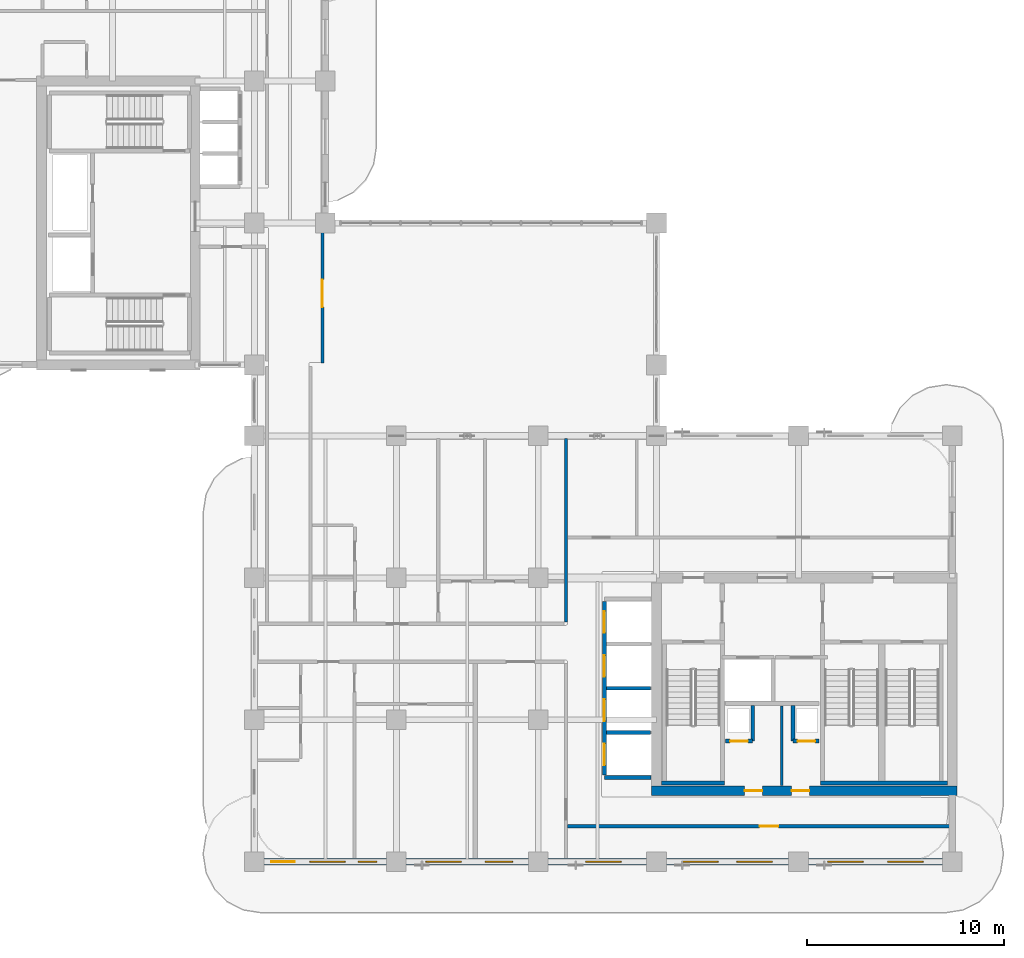
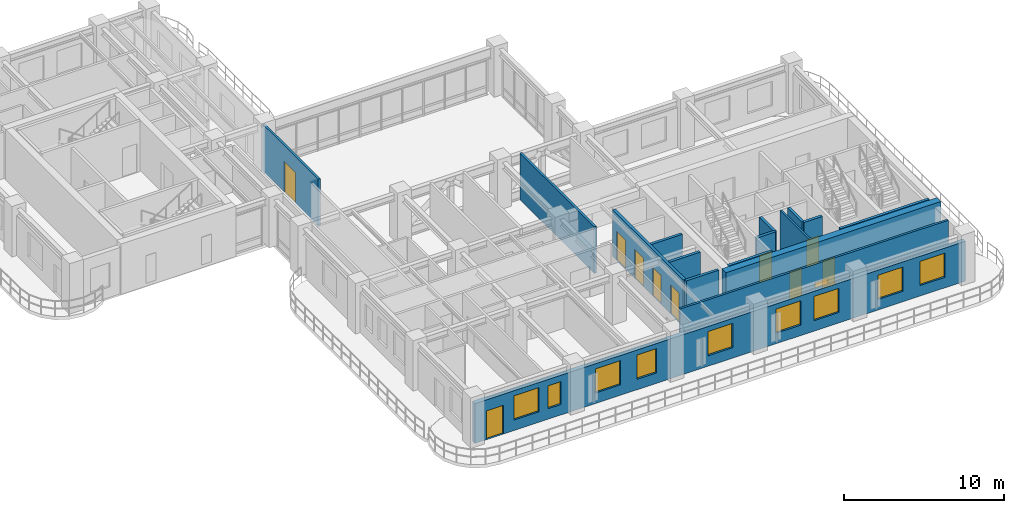
# One storey, part 10 of 17: 16 walls, 11 doors, 9 windows, 20 openings.
"""IFC4 building model written with IfcOpenShell, lengths in metres."""

from ifc_helpers import new_model, si_unit, derived_unit, direction, frame, frame_2d, origin, place, context, subcontext, project, spatial, rectangle, extrude, source, transform, mapped, material, layer, layer_set, type_object, type_shapes, element, fill, save


model = new_model("IFC4")

# Units and contexts
model_context = context("Model", 3, precision=1e-05, world=origin(), true_north=direction((0.0, 1.0)))
body_context = subcontext(model_context, "Body", "Model", "MODEL_VIEW")
ifc_project = project(units=[si_unit("LENGTHUNIT", "METRE"), si_unit("AREAUNIT", "SQUARE_METRE"), si_unit("VOLUMEUNIT", "CUBIC_METRE"), si_unit("PLANEANGLEUNIT", "RADIAN"), si_unit("MASSUNIT", "GRAM", prefix="KILO"), si_unit("THERMODYNAMICTEMPERATUREUNIT", "KELVIN"), si_unit("POWERUNIT", "WATT"), derived_unit("THERMALTRANSMITTANCEUNIT", [(si_unit("POWERUNIT", "WATT"), 1), (si_unit("AREAUNIT", "SQUARE_METRE"), -1), (si_unit("THERMODYNAMICTEMPERATUREUNIT", "KELVIN"), -1)])], contexts=[model_context])

# Site, building, storey
site_placement = place(None, origin())
site = spatial("IfcSite", under=ifc_project, at=site_placement, CompositionType="ELEMENT")
building_placement = place(site_placement, origin())
building = spatial("IfcBuilding", under=site, at=building_placement, Name="Zahravan Archway Hotel and Residences", CompositionType="ELEMENT")
storey_placement = place(building_placement, frame((0.0, 0.0, 192.64990234375)))
storey = spatial("IfcBuildingStorey", under=building, at=storey_placement, Name="L48", CompositionType="ELEMENT", Elevation=192.64990234375)

# Wall, openings, doors
ifc_material_1 = material(Name="Concrete C60/75", Category="concrete")
ifc_layer_1 = layer(ifc_material_1, 0.5, Name="Concrete C60/75", Category="concrete")
ifc_layer_set_1 = layer_set([ifc_layer_1], Name="Concrete C60/75")
wall_type_1 = type_object("IfcWallType", Name="CW-CORE-500", PredefinedType="SHEAR", material=ifc_layer_set_1)
wall_1_placement = place(storey_placement, frame((34.550048828125, 3.60009765625, 0.0), z_axis=(0.0, 0.0, 1.0), x_axis=(1.0, 0.0, 0.0)))
wall_1 = element("IfcWall", 1, at=wall_1_placement, inside=storey, type_object=wall_type_1, Name="L48 Core A Shear S Wall 500 mm", PredefinedType="SHEAR", context=body_context, shape_type="SweptSolid", body=[
    extrude(rectangle(XDim=15.5, YDim=0.5, at=frame_2d((7.75, 0.0))), origin(), (0.0, 0.0, 1.0), 3.85009765625),
])
opening_1_placement = place(wall_1_placement, frame((4.719970703125, 0.0, 0.0)))
opening_1 = element("IfcOpeningElement", 2, at=opening_1_placement, cuts=wall_1, Name="Opening FD-R1", PredefinedType="OPENING", context=body_context, shape_type="SweptSolid", body=[
    extrude(rectangle(XDim=0.89990234375, YDim=2.10009765625, at=frame_2d((0.449951171875, 1.050048828125))), frame((0.0, 0.260009765625, 0.0), z_axis=(0.0, -1.0, 0.0), x_axis=(1.0, 0.0, 0.0)), (0.0, 0.0, 1.0), 0.52001953125),
])
opening_2_placement = place(wall_1_placement, frame((7.10009765625, 0.0, 0.0)))
opening_2 = element("IfcOpeningElement", 3, at=opening_2_placement, cuts=wall_1, Name="Opening FD-R1", PredefinedType="OPENING", context=body_context, shape_type="SweptSolid", body=[
    extrude(rectangle(XDim=0.89990234375, YDim=2.10009765625, at=frame_2d((0.449951171875, 1.050048828125))), frame((0.0, 0.260009765625, 0.0), z_axis=(0.0, -1.0, 0.0), x_axis=(1.0, 0.0, 0.0)), (0.0, 0.0, 1.0), 0.52001953125),
])
ifc_material_2 = material(Name="Fire-Rated Painted Steel", Category="steel")
door_type_1 = type_object("IfcDoorType", Name="FD-RISER-900", OperationType="NOTDEFINED", PredefinedType="DOOR", material=ifc_material_2)
shared_shape_1 = source(origin(), body_context, "Body", "SweptSolid", [
    extrude(rectangle(XDim=0.89990234375, YDim=2.10009765625, at=frame_2d((0.449951171875, 1.050048828125))), frame((0.0, 0.02490234375, 0.0), z_axis=(0.0, -1.0, 0.0), x_axis=(1.0, 0.0, 0.0)), (0.0, 0.0, 1.0), 0.050048828125),
])
type_shapes(door_type_1, [shared_shape_1])
door_1_placement = place(opening_1_placement, origin())
door_1 = element("IfcDoor", 4, at=door_1_placement, inside=storey, type_object=door_type_1, Name="L48 Fan Room Door", OperationType="SINGLE_SWING_LEFT", OverallHeight=2.10009765625, OverallWidth=0.89990234375, PredefinedType="DOOR", context=body_context, shape_type="MappedRepresentation", body=[
    mapped(shared_shape_1, transform((0.0, 0.0, 0.0), scale=1.0)),
])
fill(opening_1, door_1)
door_2_placement = place(opening_2_placement, origin())
door_2 = element("IfcDoor", 5, at=door_2_placement, inside=storey, type_object=door_type_1, Name="L48 Sub-Meter Cupboard Door", OperationType="SINGLE_SWING_RIGHT", OverallHeight=2.10009765625, OverallWidth=0.89990234375, PredefinedType="DOOR", context=body_context, shape_type="MappedRepresentation", body=[
    mapped(shared_shape_1, transform((0.0, 0.0, 0.0), scale=1.0)),
])
fill(opening_2, door_2)

# Wall, openings, door, windows
ifc_material_3 = material(Name="Agra Buff Sandstone & Insulated Backup", Category="masonry")
ifc_layer_2 = layer(ifc_material_3, 0.320068359375, Name="Agra Buff Sandstone & Insulated Backup", Category="masonry")
ifc_layer_set_2 = layer_set([ifc_layer_2], Name="Agra Buff Sandstone & Insulated Backup")
wall_type_2 = type_object("IfcWallType", Name="EW-SAND-320", PredefinedType="SOLIDWALL", material=ifc_layer_set_2)
wall_2_placement = place(storey_placement, frame((14.39990234375, 0.0, 0.0), z_axis=(0.0, 0.0, 1.0), x_axis=(1.0, 0.0, 0.0)))
wall_2 = element("IfcWall", 6, at=wall_2_placement, inside=storey, type_object=wall_type_2, Name="L48 Exterior Sandstone Wall WA-S", PredefinedType="SOLIDWALL", context=body_context, shape_type="SweptSolid", body=[
    extrude(rectangle(XDim=35.400146484375, YDim=0.320068359375, at=frame_2d((17.7001953125, 0.0))), origin(), (0.0, 0.0, 1.0), 3.03515625),
])
opening_3_placement = place(wall_2_placement, frame((0.85009765625, 0.0, 0.0)))
opening_3 = element("IfcOpeningElement", 7, at=opening_3_placement, cuts=wall_2, Name="Opening ED-BL1", PredefinedType="OPENING", context=body_context, shape_type="SweptSolid", body=[
    extrude(rectangle(XDim=1.199951171875, YDim=2.199951171875, at=frame_2d((0.60009765625, 1.10009765625))), frame((0.0, 0.169921875, 0.0), z_axis=(0.0, -1.0, 0.0), x_axis=(1.0, 0.0, 0.0)), (0.0, 0.0, 1.0), 0.340087890625),
])
opening_4_placement = place(wall_2_placement, frame((2.81103515625, 0.0, 0.800048828125)))
opening_4 = element("IfcOpeningElement", 8, at=opening_4_placement, cuts=wall_2, Name="Opening W-02", PredefinedType="OPENING", context=body_context, shape_type="SweptSolid", body=[
    extrude(rectangle(XDim=1.800048828125, YDim=1.85009765625, at=frame_2d((0.89990234375, 0.925048828125))), frame((0.0, 0.169921875, 0.0), z_axis=(0.0, -1.0, 0.0), x_axis=(1.0, 0.0, 0.0)), (0.0, 0.0, 1.0), 0.340087890625),
])
opening_5_placement = place(wall_2_placement, frame((5.26904296875, 0.0, 0.800048828125)))
opening_5 = element("IfcOpeningElement", 9, at=opening_5_placement, cuts=wall_2, Name="Opening W-04", PredefinedType="OPENING", context=body_context, shape_type="SweptSolid", body=[
    extrude(rectangle(XDim=0.949951171875, YDim=1.75, at=frame_2d((0.47509765625, 0.875))), frame((0.0, 0.169921875, 0.0), z_axis=(0.0, -1.0, 0.0), x_axis=(1.0, 0.0, 0.0)), (0.0, 0.0, 1.0), 0.340087890625),
])
opening_6_placement = place(wall_2_placement, frame((8.696044921875, 0.0, 0.800048828125)))
opening_6 = element("IfcOpeningElement", 10, at=opening_6_placement, cuts=wall_2, Name="Opening W-02", PredefinedType="OPENING", context=body_context, shape_type="SweptSolid", body=[
    extrude(rectangle(XDim=1.800048828125, YDim=1.85009765625, at=frame_2d((0.89990234375, 0.925048828125))), frame((0.0, 0.169921875, 0.0), z_axis=(0.0, -1.0, 0.0), x_axis=(1.0, 0.0, 0.0)), (0.0, 0.0, 1.0), 0.340087890625),
])
opening_7_placement = place(wall_2_placement, frame((11.7041015625, 0.0, 0.800048828125)))
opening_7 = element("IfcOpeningElement", 11, at=opening_7_placement, cuts=wall_2, Name="Opening W-03", PredefinedType="OPENING", context=body_context, shape_type="SweptSolid", body=[
    extrude(rectangle(XDim=1.39990234375, YDim=1.85009765625, at=frame_2d((0.699951171875, 0.925048828125))), frame((0.0, 0.169921875, 0.0), z_axis=(0.0, -1.0, 0.0), x_axis=(1.0, 0.0, 0.0)), (0.0, 0.0, 1.0), 0.340087890625),
])
opening_8_placement = place(wall_2_placement, frame((16.803955078125, 0.0, 0.800048828125)))
opening_8 = element("IfcOpeningElement", 12, at=opening_8_placement, cuts=wall_2, Name="Opening W-02", PredefinedType="OPENING", context=body_context, shape_type="SweptSolid", body=[
    extrude(rectangle(XDim=1.800048828125, YDim=1.85009765625, at=frame_2d((0.89990234375, 0.925048828125))), frame((0.0, 0.169921875, 0.0), z_axis=(0.0, -1.0, 0.0), x_axis=(1.0, 0.0, 0.0)), (0.0, 0.0, 1.0), 0.340087890625),
])
opening_9_placement = place(wall_2_placement, frame((21.72509765625, 0.0, 0.800048828125)))
opening_9 = element("IfcOpeningElement", 13, at=opening_9_placement, cuts=wall_2, Name="Opening W-02", PredefinedType="OPENING", context=body_context, shape_type="SweptSolid", body=[
    extrude(rectangle(XDim=1.800048828125, YDim=1.85009765625, at=frame_2d((0.89990234375, 0.925048828125))), frame((0.0, 0.169921875, 0.0), z_axis=(0.0, -1.0, 0.0), x_axis=(1.0, 0.0, 0.0)), (0.0, 0.0, 1.0), 0.340087890625),
])
opening_10_placement = place(wall_2_placement, frame((24.47509765625, 0.0, 0.800048828125)))
opening_10 = element("IfcOpeningElement", 14, at=opening_10_placement, cuts=wall_2, Name="Opening W-02", PredefinedType="OPENING", context=body_context, shape_type="SweptSolid", body=[
    extrude(rectangle(XDim=1.800048828125, YDim=1.85009765625, at=frame_2d((0.89990234375, 0.925048828125))), frame((0.0, 0.169921875, 0.0), z_axis=(0.0, -1.0, 0.0), x_axis=(1.0, 0.0, 0.0)), (0.0, 0.0, 1.0), 0.340087890625),
])
opening_11_placement = place(wall_2_placement, frame((29.074951171875, 0.0, 0.800048828125)))
opening_11 = element("IfcOpeningElement", 15, at=opening_11_placement, cuts=wall_2, Name="Opening W-02", PredefinedType="OPENING", context=body_context, shape_type="SweptSolid", body=[
    extrude(rectangle(XDim=1.800048828125, YDim=1.85009765625, at=frame_2d((0.89990234375, 0.925048828125))), frame((0.0, 0.169921875, 0.0), z_axis=(0.0, -1.0, 0.0), x_axis=(1.0, 0.0, 0.0)), (0.0, 0.0, 1.0), 0.340087890625),
])
opening_12_placement = place(wall_2_placement, frame((32.125, 0.0, 0.800048828125)))
opening_12 = element("IfcOpeningElement", 16, at=opening_12_placement, cuts=wall_2, Name="Opening W-02", PredefinedType="OPENING", context=body_context, shape_type="SweptSolid", body=[
    extrude(rectangle(XDim=1.800048828125, YDim=1.85009765625, at=frame_2d((0.89990234375, 0.925048828125))), frame((0.0, 0.169921875, 0.0), z_axis=(0.0, -1.0, 0.0), x_axis=(1.0, 0.0, 0.0)), (0.0, 0.0, 1.0), 0.340087890625),
])
ifc_material_4 = material(Name="Bronze-Anodized Glazed Aluminium", Category="aluminium")
door_type_2 = type_object("IfcDoorType", Name="ED-BALC-1200", OperationType="SLIDING_TO_LEFT", PredefinedType="DOOR", material=ifc_material_4)
shared_shape_2 = source(origin(), body_context, "Body", "SweptSolid", [
    extrude(rectangle(XDim=1.199951171875, YDim=2.199951171875, at=frame_2d((0.60009765625, 1.10009765625))), frame((0.0, 0.02490234375, 0.0), z_axis=(0.0, -1.0, 0.0), x_axis=(1.0, 0.0, 0.0)), (0.0, 0.0, 1.0), 0.050048828125),
])
type_shapes(door_type_2, [shared_shape_2])
door_3_placement = place(opening_3_placement, origin())
door_3 = element("IfcDoor", 17, at=door_3_placement, inside=storey, type_object=door_type_2, Name="L48 Outdoor Access Sliding Door (SLB-BAL-L48-SA)", OperationType="SLIDING_TO_LEFT", OverallHeight=2.199951171875, OverallWidth=1.199951171875, PredefinedType="DOOR", context=body_context, shape_type="MappedRepresentation", body=[
    mapped(shared_shape_2, transform((0.0, 0.0, 0.0), scale=1.0)),
])
fill(opening_3, door_3)
ifc_material_5 = material(Name="Bronze-Anodized Thermal-Break Aluminium & Low-E Glass", Category="aluminium")
window_type_1 = type_object("IfcWindowType", Name="WIN-TWR-1400", PartitioningType="SINGLE_PANEL", PredefinedType="WINDOW", material=ifc_material_5)
shared_shape_3 = source(origin(), body_context, "Body", "SweptSolid", [
    extrude(rectangle(XDim=1.39990234375, YDim=1.85009765625, at=frame_2d((0.699951171875, 0.925048828125))), frame((0.0, 0.030029296875, 0.0), z_axis=(0.0, -1.0, 0.0), x_axis=(1.0, 0.0, 0.0)), (0.0, 0.0, 1.0), 0.06005859375),
])
type_shapes(window_type_1, [shared_shape_3])
window_1_placement = place(opening_7_placement, origin())
window_1 = element("IfcWindow", 18, at=window_1_placement, inside=storey, type_object=window_type_1, Name="L48 Loggia Window 04", OverallHeight=1.85009765625, OverallWidth=1.39990234375, PartitioningType="SINGLE_PANEL", PredefinedType="WINDOW", context=body_context, shape_type="MappedRepresentation", body=[
    mapped(shared_shape_3, transform((0.0, 0.0, 0.0), scale=1.0)),
])
fill(opening_7, window_1)
window_type_2 = type_object("IfcWindowType", Name="WIN-NAR-950", PartitioningType="SINGLE_PANEL", PredefinedType="WINDOW", material=ifc_material_5)
shared_shape_4 = source(origin(), body_context, "Body", "SweptSolid", [
    extrude(rectangle(XDim=0.949951171875, YDim=1.75, at=frame_2d((0.47509765625, 0.875))), frame((0.0, 0.030029296875, 0.0), z_axis=(0.0, -1.0, 0.0), x_axis=(1.0, 0.0, 0.0)), (0.0, 0.0, 1.0), 0.06005859375),
])
type_shapes(window_type_2, [shared_shape_4])
window_2_placement = place(opening_5_placement, origin())
window_2 = element("IfcWindow", 19, at=window_2_placement, inside=storey, type_object=window_type_2, Name="L48 Loggia Window 02", OverallHeight=1.75, OverallWidth=0.949951171875, PartitioningType="SINGLE_PANEL", PredefinedType="WINDOW", context=body_context, shape_type="MappedRepresentation", body=[
    mapped(shared_shape_4, transform((0.0, 0.0, 0.0), scale=1.0)),
])
fill(opening_5, window_2)
window_type_3 = type_object("IfcWindowType", Name="WIN-TWR-1800", PartitioningType="DOUBLE_PANEL_VERTICAL", PredefinedType="WINDOW", material=ifc_material_5)
shared_shape_5 = source(origin(), body_context, "Body", "SweptSolid", [
    extrude(rectangle(XDim=1.800048828125, YDim=1.85009765625, at=frame_2d((0.89990234375, 0.925048828125))), frame((0.0, 0.030029296875, 0.0), z_axis=(0.0, -1.0, 0.0), x_axis=(1.0, 0.0, 0.0)), (0.0, 0.0, 1.0), 0.06005859375),
])
type_shapes(window_type_3, [shared_shape_5])
window_3_placement = place(opening_4_placement, origin())
window_3 = element("IfcWindow", 20, at=window_3_placement, inside=storey, type_object=window_type_3, Name="L48 Loggia Window 01", OverallHeight=1.85009765625, OverallWidth=1.800048828125, PartitioningType="DOUBLE_PANEL_VERTICAL", PredefinedType="WINDOW", context=body_context, shape_type="MappedRepresentation", body=[
    mapped(shared_shape_5, transform((0.0, 0.0, 0.0), scale=1.0)),
])
fill(opening_4, window_3)
window_4_placement = place(opening_6_placement, origin())
window_4 = element("IfcWindow", 21, at=window_4_placement, inside=storey, type_object=window_type_3, Name="L48 Loggia Window 03", OverallHeight=1.85009765625, OverallWidth=1.800048828125, PartitioningType="DOUBLE_PANEL_VERTICAL", PredefinedType="WINDOW", context=body_context, shape_type="MappedRepresentation", body=[
    mapped(shared_shape_5, transform((0.0, 0.0, 0.0), scale=1.0)),
])
fill(opening_6, window_4)
window_5_placement = place(opening_8_placement, origin())
window_5 = element("IfcWindow", 22, at=window_5_placement, inside=storey, type_object=window_type_3, Name="L48 Loggia Window 05", OverallHeight=1.85009765625, OverallWidth=1.800048828125, PartitioningType="DOUBLE_PANEL_VERTICAL", PredefinedType="WINDOW", context=body_context, shape_type="MappedRepresentation", body=[
    mapped(shared_shape_5, transform((0.0, 0.0, 0.0), scale=1.0)),
])
fill(opening_8, window_5)
window_6_placement = place(opening_9_placement, origin())
window_6 = element("IfcWindow", 23, at=window_6_placement, inside=storey, type_object=window_type_3, Name="L48 Loggia Window 06", OverallHeight=1.85009765625, OverallWidth=1.800048828125, PartitioningType="DOUBLE_PANEL_VERTICAL", PredefinedType="WINDOW", context=body_context, shape_type="MappedRepresentation", body=[
    mapped(shared_shape_5, transform((0.0, 0.0, 0.0), scale=1.0)),
])
fill(opening_9, window_6)
window_7_placement = place(opening_10_placement, origin())
window_7 = element("IfcWindow", 24, at=window_7_placement, inside=storey, type_object=window_type_3, Name="L48 Loggia Window 07", OverallHeight=1.85009765625, OverallWidth=1.800048828125, PartitioningType="DOUBLE_PANEL_VERTICAL", PredefinedType="WINDOW", context=body_context, shape_type="MappedRepresentation", body=[
    mapped(shared_shape_5, transform((0.0, 0.0, 0.0), scale=1.0)),
])
fill(opening_10, window_7)
window_8_placement = place(opening_11_placement, origin())
window_8 = element("IfcWindow", 25, at=window_8_placement, inside=storey, type_object=window_type_3, Name="L48 Loggia Window 08", OverallHeight=1.85009765625, OverallWidth=1.800048828125, PartitioningType="DOUBLE_PANEL_VERTICAL", PredefinedType="WINDOW", context=body_context, shape_type="MappedRepresentation", body=[
    mapped(shared_shape_5, transform((0.0, 0.0, 0.0), scale=1.0)),
])
fill(opening_11, window_8)
window_9_placement = place(opening_12_placement, origin())
window_9 = element("IfcWindow", 26, at=window_9_placement, inside=storey, type_object=window_type_3, Name="L48 Loggia Window 09", OverallHeight=1.85009765625, OverallWidth=1.800048828125, PartitioningType="DOUBLE_PANEL_VERTICAL", PredefinedType="WINDOW", context=body_context, shape_type="MappedRepresentation", body=[
    mapped(shared_shape_5, transform((0.0, 0.0, 0.0), scale=1.0)),
])
fill(opening_12, window_9)

# Wall
ifc_material_6 = material(Name="Fire-Rated Gypsum & Concrete Block", Category="concrete")
ifc_layer_3 = layer(ifc_material_6, 0.159912109375, Name="Fire-Rated Gypsum & Concrete Block", Category="concrete")
ifc_layer_set_3 = layer_set([ifc_layer_3], Name="Fire-Rated Gypsum & Concrete Block")
wall_type_3 = type_object("IfcWallType", Name="PW-CORR-160", PredefinedType="PARTITIONING", material=ifc_layer_set_3)
wall_3_placement = place(storey_placement, frame((30.199951171875, 12.159912109375, 0.0), z_axis=(0.0, 0.0, 1.0), x_axis=(0.0, 1.0, 0.0)))
element("IfcWall", 27, at=wall_3_placement, inside=storey, type_object=wall_type_3, Name="L48 Partition WA-FW", PredefinedType="PARTITIONING", context=body_context, shape_type="SweptSolid", body=[
    extrude(rectangle(XDim=9.300048828125, YDim=0.159912109375, at=frame_2d((4.64990234375, 0.0))), origin(), (0.0, 0.0, 1.0), 3.550048828125),
])

# Wall, opening, door
wall_4_placement = place(storey_placement, frame((30.2900390625, 1.800048828125, 0.0), z_axis=(0.0, 0.0, 1.0), x_axis=(1.0, 0.0, 0.0)))
wall_4 = element("IfcWall", 28, at=wall_4_placement, inside=storey, type_object=wall_type_3, Name="L48 Partition WA-SRS", PredefinedType="PARTITIONING", context=body_context, shape_type="SweptSolid", body=[
    extrude(rectangle(XDim=19.369873046875, YDim=0.159912109375, at=frame_2d((9.68505859375, 0.0))), origin(), (0.0, 0.0, 1.0), 3.550048828125),
])
opening_13_placement = place(wall_4_placement, frame((9.735107421875, 0.0, 0.0)))
opening_13 = element("IfcOpeningElement", 29, at=opening_13_placement, cuts=wall_4, Name="Opening D-I1", PredefinedType="OPENING", context=body_context, shape_type="SweptSolid", body=[
    extrude(rectangle(XDim=0.949951171875, YDim=2.14990234375, at=frame_2d((0.47509765625, 1.074951171875))), frame((0.0, 0.08984375, 0.0), z_axis=(0.0, -1.0, 0.0), x_axis=(1.0, 0.0, 0.0)), (0.0, 0.0, 1.0), 0.179931640625),
])
ifc_material_7 = material(Name="Hardwood Veneer Timber", Category="wood")
door_type_3 = type_object("IfcDoorType", Name="ID-INT-950", OperationType="NOTDEFINED", PredefinedType="DOOR", material=ifc_material_7)
shared_shape_6 = source(origin(), body_context, "Body", "SweptSolid", [
    extrude(rectangle(XDim=0.949951171875, YDim=2.14990234375, at=frame_2d((0.47509765625, 1.074951171875))), frame((0.0, 0.02490234375, 0.0), z_axis=(0.0, -1.0, 0.0), x_axis=(1.0, 0.0, 0.0)), (0.0, 0.0, 1.0), 0.050048828125),
])
type_shapes(door_type_3, [shared_shape_6])
door_4_placement = place(opening_13_placement, origin())
door_4 = element("IfcDoor", 30, at=door_4_placement, inside=storey, type_object=door_type_3, Name="L48 South Viewing Lounge Door", OperationType="SINGLE_SWING_LEFT", OverallHeight=2.14990234375, OverallWidth=0.949951171875, PredefinedType="DOOR", context=body_context, shape_type="MappedRepresentation", body=[
    mapped(shared_shape_6, transform((0.0, 0.0, 0.0), scale=1.0)),
])
fill(opening_13, door_4)

wall_5_placement = place(storey_placement, frame((17.85009765625, 25.2900390625, 0.0), z_axis=(0.0, 0.0, 1.0), x_axis=(0.0, 1.0, 0.0)))
wall_5 = element("IfcWall", 31, at=wall_5_placement, inside=storey, type_object=wall_type_3, Name="L48 Partition SBG-W", PredefinedType="PARTITIONING", context=body_context, shape_type="SweptSolid", body=[
    extrude(rectangle(XDim=6.919921875, YDim=0.159912109375, at=frame_2d((3.4599609375, 0.0))), origin(), (0.0, 0.0, 1.0), 3.550048828125),
])
opening_14_placement = place(wall_5_placement, frame((2.8349609375, 0.0, 0.0)))
opening_14 = element("IfcOpeningElement", 32, at=opening_14_placement, cuts=wall_5, Name="Opening D-P1", PredefinedType="OPENING", context=body_context, shape_type="SweptSolid", body=[
    extrude(rectangle(XDim=1.39990234375, YDim=2.35009765625, at=frame_2d((0.699951171875, 1.175048828125))), frame((0.0, 0.08984375, 0.0), z_axis=(0.0, -1.0, 0.0), x_axis=(1.0, 0.0, 0.0)), (0.0, 0.0, 1.0), 0.179931640625),
])
door_type_4 = type_object("IfcDoorType", Name="ID-PUBLIC-1400", OperationType="DOUBLE_DOOR_SINGLE_SWING", PredefinedType="DOOR", material=ifc_material_4)
shared_shape_7 = source(origin(), body_context, "Body", "SweptSolid", [
    extrude(rectangle(XDim=1.39990234375, YDim=2.35009765625, at=frame_2d((0.699951171875, 1.175048828125))), frame((0.0, 0.02490234375, 0.0), z_axis=(0.0, -1.0, 0.0), x_axis=(1.0, 0.0, 0.0)), (0.0, 0.0, 1.0), 0.050048828125),
])
type_shapes(door_type_4, [shared_shape_7])
door_5_placement = place(opening_14_placement, origin())
door_5 = element("IfcDoor", 33, at=door_5_placement, inside=storey, type_object=door_type_4, Name="L48 Sky-Bridge Salon Door", OperationType="DOUBLE_DOOR_SINGLE_SWING", OverallHeight=2.35009765625, OverallWidth=1.39990234375, PredefinedType="DOOR", context=body_context, shape_type="MappedRepresentation", body=[
    mapped(shared_shape_7, transform((0.0, 0.0, 0.0), scale=1.0)),
])
fill(opening_14, door_5)

ifc_layer_4 = layer(ifc_material_6, 0.199951171875, Name="Fire-Rated Gypsum & Concrete Block", Category="concrete")
ifc_layer_set_4 = layer_set([ifc_layer_4], Name="Fire-Rated Gypsum & Concrete Block")
wall_type_4 = type_object("IfcWallType", Name="PW-SHAFT-200", PredefinedType="PARTITIONING", material=ifc_layer_set_4)
wall_6_placement = place(storey_placement, frame((38.2900390625, 6.1201171875, 0.0), z_axis=(0.0, 0.0, 1.0), x_axis=(1.0, 0.0, 0.0)))
wall_6 = element("IfcWall", 34, at=wall_6_placement, inside=storey, type_object=wall_type_4, Name="L48 Partition CA-SMKS", PredefinedType="PARTITIONING", context=body_context, shape_type="SweptSolid", body=[
    extrude(rectangle(XDim=1.3798828125, YDim=0.199951171875, at=frame_2d((0.68994140625, 0.0))), origin(), (0.0, 0.0, 1.0), 3.550048828125),
])
opening_15_placement = place(wall_6_placement, frame((0.239990234375, 0.0, 0.0)))
opening_15 = element("IfcOpeningElement", 35, at=opening_15_placement, cuts=wall_6, Name="Opening FD-R1", PredefinedType="OPENING", context=body_context, shape_type="SweptSolid", body=[
    extrude(rectangle(XDim=0.89990234375, YDim=2.10009765625, at=frame_2d((0.449951171875, 1.050048828125))), frame((0.0, 0.10986328125, 0.0), z_axis=(0.0, -1.0, 0.0), x_axis=(1.0, 0.0, 0.0)), (0.0, 0.0, 1.0), 0.219970703125),
])
door_6_placement = place(opening_15_placement, origin())
door_6 = element("IfcDoor", 36, at=door_6_placement, inside=storey, type_object=door_type_1, Name="L48 Smoke Riser Access Door", OperationType="SINGLE_SWING_LEFT", OverallHeight=2.10009765625, OverallWidth=0.89990234375, PredefinedType="DOOR", context=body_context, shape_type="MappedRepresentation", body=[
    mapped(shared_shape_1, transform((0.0, 0.0, 0.0), scale=1.0)),
])
fill(opening_15, door_6)

# Wall
wall_7_placement = place(storey_placement, frame((39.679931640625, 6.1298828125, 0.0), z_axis=(0.0, 0.0, 1.0), x_axis=(0.0, 1.0, 0.0)))
element("IfcWall", 37, at=wall_7_placement, inside=storey, type_object=wall_type_4, Name="L48 Partition CA-SMKE", PredefinedType="PARTITIONING", context=body_context, shape_type="SweptSolid", body=[
    extrude(rectangle(XDim=1.7900390625, YDim=0.199951171875, at=frame_2d((0.89501953125, 0.0))), origin(), (0.0, 0.0, 1.0), 3.550048828125),
])

# Wall, opening, door
wall_8_placement = place(storey_placement, frame((41.72998046875, 6.1201171875, 0.0), z_axis=(0.0, 0.0, 1.0), x_axis=(1.0, 0.0, 0.0)))
wall_8 = element("IfcWall", 38, at=wall_8_placement, inside=storey, type_object=wall_type_4, Name="L48 Partition CA-MEPS", PredefinedType="PARTITIONING", context=body_context, shape_type="SweptSolid", body=[
    extrude(rectangle(XDim=1.320068359375, YDim=0.199951171875, at=frame_2d((0.66015625, 0.0))), origin(), (0.0, 0.0, 1.0), 3.550048828125),
])
opening_16_placement = place(wall_8_placement, frame((0.219970703125, 0.0, 0.0)))
opening_16 = element("IfcOpeningElement", 39, at=opening_16_placement, cuts=wall_8, Name="Opening FD-R1", PredefinedType="OPENING", context=body_context, shape_type="SweptSolid", body=[
    extrude(rectangle(XDim=0.89990234375, YDim=2.10009765625, at=frame_2d((0.449951171875, 1.050048828125))), frame((0.0, 0.10986328125, 0.0), z_axis=(0.0, -1.0, 0.0), x_axis=(1.0, 0.0, 0.0)), (0.0, 0.0, 1.0), 0.219970703125),
])
door_7_placement = place(opening_16_placement, origin())
door_7 = element("IfcDoor", 40, at=door_7_placement, inside=storey, type_object=door_type_1, Name="L48 MEP Riser Access Door", OperationType="SINGLE_SWING_RIGHT", OverallHeight=2.10009765625, OverallWidth=0.89990234375, PredefinedType="DOOR", context=body_context, shape_type="MappedRepresentation", body=[
    mapped(shared_shape_1, transform((0.0, 0.0, 0.0), scale=1.0)),
])
fill(opening_16, door_7)

# Walls
wall_9_placement = place(storey_placement, frame((41.719970703125, 6.1298828125, 0.0), z_axis=(0.0, 0.0, 1.0), x_axis=(0.0, 1.0, 0.0)))
element("IfcWall", 41, at=wall_9_placement, inside=storey, type_object=wall_type_4, Name="L48 Partition CA-MEPW", PredefinedType="PARTITIONING", context=body_context, shape_type="SweptSolid", body=[
    extrude(rectangle(XDim=1.7900390625, YDim=0.199951171875, at=frame_2d((0.89501953125, 0.0))), origin(), (0.0, 0.0, 1.0), 3.550048828125),
])
wall_10_placement = place(storey_placement, frame((32.159912109375, 4.280029296875, 0.0), z_axis=(0.0, 0.0, 1.0), x_axis=(1.0, 0.0, 0.0)))
element("IfcWall", 42, at=wall_10_placement, inside=storey, type_object=wall_type_4, Name="L48 Partition B3-S", PredefinedType="PARTITIONING", context=body_context, shape_type="SweptSolid", body=[
    extrude(rectangle(XDim=2.360107421875, YDim=0.199951171875, at=frame_2d((1.18017578125, 0.0))), origin(), (0.0, 0.0, 1.0), 3.550048828125),
])

# Wall, openings, doors
wall_11_placement = place(storey_placement, frame((32.14990234375, 4.389892578125, 0.0), z_axis=(0.0, 0.0, 1.0), x_axis=(0.0, 1.0, 0.0)))
wall_11 = element("IfcWall", 43, at=wall_11_placement, inside=storey, type_object=wall_type_4, Name="L48 Partition B3-W", PredefinedType="PARTITIONING", context=body_context, shape_type="SweptSolid", body=[
    extrude(rectangle(XDim=8.820068359375, YDim=0.199951171875, at=frame_2d((4.41015625, 0.0))), origin(), (0.0, 0.0, 1.0), 3.550048828125),
])
opening_17_placement = place(wall_11_placement, frame((0.5, 0.0, 0.0)))
opening_17 = element("IfcOpeningElement", 44, at=opening_17_placement, cuts=wall_11, Name="Opening LD", PredefinedType="OPENING", context=body_context, shape_type="SweptSolid", body=[
    extrude(rectangle(XDim=1.10009765625, YDim=2.199951171875, at=frame_2d((0.550048828125, 1.10009765625))), frame((0.0, 0.10986328125, 0.0), z_axis=(0.0, -1.0, 0.0), x_axis=(1.0, 0.0, 0.0)), (0.0, 0.0, 1.0), 0.219970703125),
])
opening_18_placement = place(wall_11_placement, frame((2.739990234375, 0.0, 0.0)))
opening_18 = element("IfcOpeningElement", 45, at=opening_18_placement, cuts=wall_11, Name="Opening LD", PredefinedType="OPENING", context=body_context, shape_type="SweptSolid", body=[
    extrude(rectangle(XDim=1.10009765625, YDim=2.199951171875, at=frame_2d((0.550048828125, 1.10009765625))), frame((0.0, 0.10986328125, 0.0), z_axis=(0.0, -1.0, 0.0), x_axis=(1.0, 0.0, 0.0)), (0.0, 0.0, 1.0), 0.219970703125),
])
opening_19_placement = place(wall_11_placement, frame((4.97998046875, 0.0, 0.0)))
opening_19 = element("IfcOpeningElement", 46, at=opening_19_placement, cuts=wall_11, Name="Opening LD", PredefinedType="OPENING", context=body_context, shape_type="SweptSolid", body=[
    extrude(rectangle(XDim=1.10009765625, YDim=2.199951171875, at=frame_2d((0.550048828125, 1.10009765625))), frame((0.0, 0.10986328125, 0.0), z_axis=(0.0, -1.0, 0.0), x_axis=(1.0, 0.0, 0.0)), (0.0, 0.0, 1.0), 0.219970703125),
])
opening_20_placement = place(wall_11_placement, frame((7.219970703125, 0.0, 0.0)))
opening_20 = element("IfcOpeningElement", 47, at=opening_20_placement, cuts=wall_11, Name="Opening LD", PredefinedType="OPENING", context=body_context, shape_type="SweptSolid", body=[
    extrude(rectangle(XDim=1.10009765625, YDim=2.199951171875, at=frame_2d((0.550048828125, 1.10009765625))), frame((0.0, 0.10986328125, 0.0), z_axis=(0.0, -1.0, 0.0), x_axis=(1.0, 0.0, 0.0)), (0.0, 0.0, 1.0), 0.219970703125),
])
ifc_material_8 = material(Name="Brushed Stainless Steel", Category="steel")
door_type_5 = type_object("IfcDoorType", Name="DR-LIFT-LD", OperationType="SLIDING_TO_LEFT", PredefinedType="DOOR", material=ifc_material_8)
shared_shape_8 = source(origin(), body_context, "Body", "SweptSolid", [
    extrude(rectangle(XDim=1.10009765625, YDim=2.199951171875, at=frame_2d((0.550048828125, 1.10009765625))), frame((0.0, 0.02490234375, 0.0), z_axis=(0.0, -1.0, 0.0), x_axis=(1.0, 0.0, 0.0)), (0.0, 0.0, 1.0), 0.050048828125),
])
type_shapes(door_type_5, [shared_shape_8])
door_8_placement = place(opening_17_placement, origin())
door_8 = element("IfcDoor", 48, at=door_8_placement, inside=storey, type_object=door_type_5, Name="L48 Lift LP-7 Sliding Landing Door", OperationType="SLIDING_TO_LEFT", OverallHeight=2.199951171875, OverallWidth=1.10009765625, PredefinedType="DOOR", context=body_context, shape_type="MappedRepresentation", body=[
    mapped(shared_shape_8, transform((0.0, 0.0, 0.0), scale=1.0)),
])
fill(opening_17, door_8)
door_9_placement = place(opening_18_placement, origin())
door_9 = element("IfcDoor", 49, at=door_9_placement, inside=storey, type_object=door_type_5, Name="L48 Lift LP-8 Sliding Landing Door", OperationType="SLIDING_TO_LEFT", OverallHeight=2.199951171875, OverallWidth=1.10009765625, PredefinedType="DOOR", context=body_context, shape_type="MappedRepresentation", body=[
    mapped(shared_shape_8, transform((0.0, 0.0, 0.0), scale=1.0)),
])
fill(opening_18, door_9)
door_10_placement = place(opening_19_placement, origin())
door_10 = element("IfcDoor", 50, at=door_10_placement, inside=storey, type_object=door_type_5, Name="L48 Lift LP-9 Sliding Landing Door", OperationType="SLIDING_TO_LEFT", OverallHeight=2.199951171875, OverallWidth=1.10009765625, PredefinedType="DOOR", context=body_context, shape_type="MappedRepresentation", body=[
    mapped(shared_shape_8, transform((0.0, 0.0, 0.0), scale=1.0)),
])
fill(opening_19, door_10)
door_11_placement = place(opening_20_placement, origin())
door_11 = element("IfcDoor", 51, at=door_11_placement, inside=storey, type_object=door_type_5, Name="L48 Lift LP-10 Sliding Landing Door", OperationType="SLIDING_TO_LEFT", OverallHeight=2.199951171875, OverallWidth=1.10009765625, PredefinedType="DOOR", context=body_context, shape_type="MappedRepresentation", body=[
    mapped(shared_shape_8, transform((0.0, 0.0, 0.0), scale=1.0)),
])
fill(opening_20, door_11)

# Walls
for number, where, z_axis, x_axis, name in (
    (52, (32.260009765625, 6.56005859375, 0.0), (0.0, 0.0, 1.0), (1.0, 0.0, 0.0), "L48 Partition B3-D"),
    (53, (32.260009765625, 8.800048828125, 0.0), (0.0, 0.0, 1.0), (1.0, 0.0, 0.0), "L48 Partition B3-D"),
):
    element("IfcWall", number, at=place(storey_placement, frame(where, z_axis=z_axis, x_axis=x_axis)), inside=storey, type_object=wall_type_4, Name=name, PredefinedType="PARTITIONING", context=body_context, shape_type="SweptSolid", body=[
        extrude(rectangle(XDim=2.22998046875, YDim=0.199951171875, at=frame_2d((1.114990234375, 0.0))), origin(), (0.0, 0.0, 1.0), 3.550048828125),
    ])
ifc_material_9 = material(Name="Moisture-Resistant Blockwork", Category="masonry")
ifc_layer_5 = layer(ifc_material_9, 0.139892578125, Name="Moisture-Resistant Blockwork", Category="masonry")
ifc_layer_set_5 = layer_set([ifc_layer_5], Name="Moisture-Resistant Blockwork")
wall_type_5 = type_object("IfcWallType", Name="PW-WET-140", PredefinedType="PARTITIONING", material=ifc_layer_set_5)
wall_12_placement = place(storey_placement, frame((41.14990234375, 3.8701171875, 0.0), z_axis=(0.0, 0.0, 1.0), x_axis=(0.0, 1.0, 0.0)))
element("IfcWall", 54, at=wall_12_placement, inside=storey, type_object=wall_type_5, Name="L48 Partition CA-CV2V", PredefinedType="PARTITIONING", context=body_context, shape_type="SweptSolid", body=[
    extrude(rectangle(XDim=4.039794921875, YDim=0.139892578125, at=frame_2d((2.02001953125, 0.0))), origin(), (0.0, 0.0, 1.0), 3.550048828125),
])
ifc_material_10 = material(Name="Concrete C50/60", Category="concrete")
ifc_layer_6 = layer(ifc_material_10, 0.199951171875, Name="Concrete C50/60", Category="concrete")
ifc_layer_set_6 = layer_set([ifc_layer_6], Name="Concrete C50/60")
wall_type_6 = type_object("IfcWallType", Name="SW-STAIR-200", PredefinedType="SHEAR", material=ifc_layer_set_6)
wall_13_placement = place(storey_placement, frame((35.050048828125, 4.0, 0.0), z_axis=(0.0, 0.0, 1.0), x_axis=(1.0, 0.0, 0.0)))
element("IfcWall", 55, at=wall_13_placement, inside=storey, type_object=wall_type_6, Name="L48 Stairwell RC Wall CA-SA1S", PredefinedType="SHEAR", context=body_context, shape_type="SweptSolid", body=[
    extrude(rectangle(XDim=3.18994140625, YDim=0.199951171875, at=frame_2d((1.594970703125, 0.0))), origin(), (0.0, 0.0, 1.0), 3.85009765625),
])
wall_14_placement = place(storey_placement, frame((43.1201171875, 4.0, 0.0), z_axis=(0.0, 0.0, 1.0), x_axis=(1.0, 0.0, 0.0)))
element("IfcWall", 56, at=wall_14_placement, inside=storey, type_object=wall_type_6, Name="L48 Stairwell RC Wall CA-SA23S", PredefinedType="SHEAR", context=body_context, shape_type="SweptSolid", body=[
    extrude(rectangle(XDim=6.429931640625, YDim=0.199951171875, at=frame_2d((3.21484375, 0.0))), origin(), (0.0, 0.0, 1.0), 3.85009765625),
])

save(model, "model.ifc")
